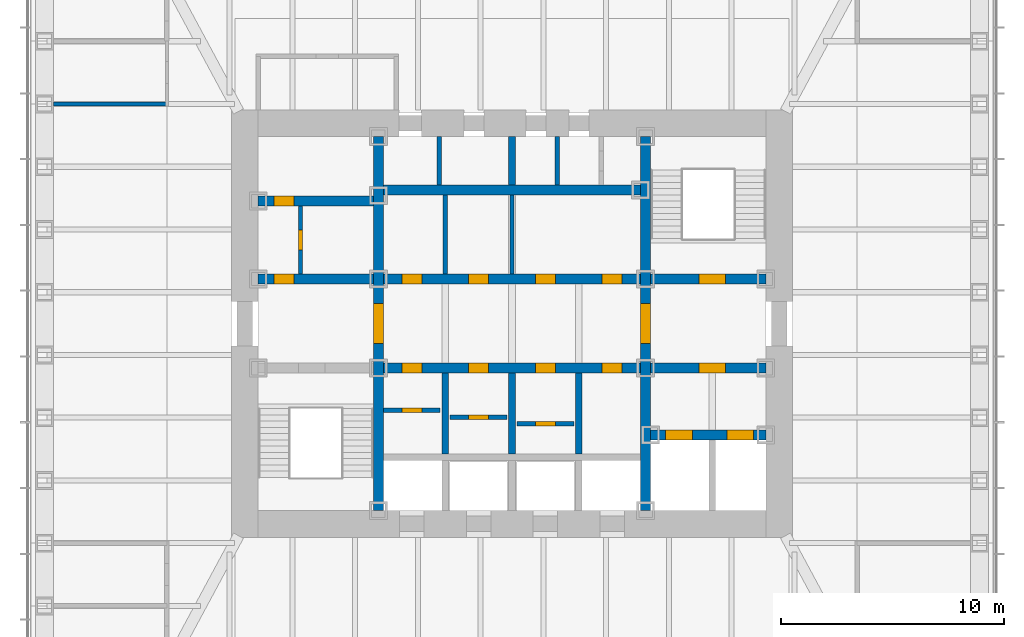
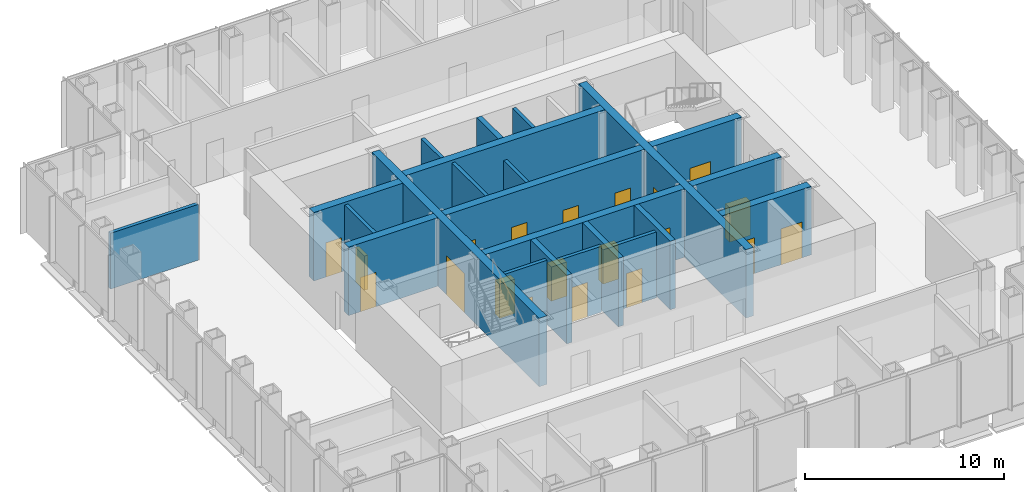
# One storey, part 9 of 17: 23 walls, 20 doors, 20 openings.
"""IFC4 building model written with IfcOpenShell, lengths in metres."""

import ifcopenshell
import ifcopenshell.guid

model = None  # the IFC model being written
_history = None  # IfcOwnerHistory: only IFC2X3 demands one
_inside = {}  # id of a spatial element -> (the spatial element, [elements in it])
_under = {}  # id of a project, library or spatial element -> (it, [spatial elements below it])
_declared = {}  # id of a project -> (the project, [libraries it declares])
_typed = {}  # id of a type object -> (the type object, [elements of that type])
_made_of = {}  # id of a material, layer set ... -> (it, [elements and type objects made of it])


def new_model(schema):
    """Start an empty IFC model of exactly this schema.

    Asked for "IFC4X3", IfcOpenShell would pick the latest addendum, in which some entities
    have other attributes; the version numbers below select the first issue.
    IFC2X3 requires an IfcOwnerHistory on every rooted entity: one is made here for all.
    """
    global model, _history
    if schema == "IFC4X3":
        model = ifcopenshell.file(schema_version=(4, 3, 0, 0))
    else:
        model = ifcopenshell.file(schema=schema)
    _inside.clear()
    _under.clear()
    _declared.clear()
    _typed.clear()
    _made_of.clear()
    _history = None
    if model.schema == "IFC2X3":
        org = make("IfcOrganization", Name="unknown")
        user = make(
            "IfcPersonAndOrganization",
            ThePerson=make("IfcPerson", FamilyName="unknown"),
            TheOrganization=org,
        )
        app = make(
            "IfcApplication",
            ApplicationDeveloper=org,
            Version="unknown",
            ApplicationFullName="unknown",
            ApplicationIdentifier="unknown",
        )
        _history = make(
            "IfcOwnerHistory",
            OwningUser=user,
            OwningApplication=app,
            ChangeAction="ADDED",
            CreationDate=0,
        )
    return model


def make(cls, **values):
    """One entity of the class cls with the attributes given. An attribute that is None is left unset."""
    return model.create_entity(
        cls, **{name: value for name, value in values.items() if value is not None}
    )


def rooted(cls, **values):
    """An entity with a GlobalId (a new one), such as an element, a storey or a relation."""
    return make(cls, GlobalId=ifcopenshell.guid.new(), OwnerHistory=_history, **values)


def si_unit(unit_type, name, prefix=None):
    """IfcSIUnit, for example si_unit("LENGTHUNIT", "METRE", prefix="MILLI")."""
    return make("IfcSIUnit", UnitType=unit_type, Prefix=prefix, Name=name)


def assignment(units):
    """IfcUnitAssignment: the units of a project."""
    return None if units is None else make("IfcUnitAssignment", Units=units)


def point(xyz):
    """IfcCartesianPoint."""
    return None if xyz is None else make("IfcCartesianPoint", Coordinates=xyz)


def direction(xyz):
    """IfcDirection."""
    return None if xyz is None else make("IfcDirection", DirectionRatios=xyz)


def frame(location, z_axis=None, x_axis=None):
    """IfcAxis2Placement3D, a coordinate frame: its origin and axes. An axis left out is left unset."""
    return make(
        "IfcAxis2Placement3D",
        Location=point(location),
        Axis=direction(z_axis),
        RefDirection=direction(x_axis),
    )


def frame_2d(location, x_axis=None):
    """IfcAxis2Placement2D, a coordinate frame in the plane: its origin and x axis."""
    return make(
        "IfcAxis2Placement2D", Location=point(location), RefDirection=direction(x_axis)
    )


def origin():
    """The frame at (0, 0, 0) with its axes left unset."""
    return frame((0.0, 0.0, 0.0))


def place(relative_to, where):
    """IfcLocalPlacement: puts the frame where relative to a parent placement (None: the world)."""
    return make(
        "IfcLocalPlacement", PlacementRelTo=relative_to, RelativePlacement=where
    )


def context(
    kind, dimensions, precision=None, world=None, true_north=None, identifier=None
):
    """IfcGeometricRepresentationContext, for example the 3D "Model" context."""
    return make(
        "IfcGeometricRepresentationContext",
        ContextIdentifier=identifier,
        ContextType=kind,
        CoordinateSpaceDimension=dimensions,
        Precision=precision,
        WorldCoordinateSystem=world,
        TrueNorth=true_north,
    )


def subcontext(parent, identifier, kind, view, scale=None):
    """IfcGeometricRepresentationSubContext, for example "Body" below "Model"."""
    return make(
        "IfcGeometricRepresentationSubContext",
        ContextIdentifier=identifier,
        ContextType=kind,
        ParentContext=parent,
        TargetScale=scale,
        TargetView=view,
    )


def project(units=None, contexts=None):
    """IfcProject with its units and contexts."""
    return rooted(
        "IfcProject",
        Name="project",
        RepresentationContexts=contexts,
        UnitsInContext=assignment(units),
    )


def spatial(cls, under=None, at=None, **own):
    """A site, building, storey or space (cls), placed at a placement, below another one or the project."""
    s = rooted(cls, ObjectPlacement=at, **own)
    if under is not None:
        _under.setdefault(under.id(), (under, []))[1].append(s)
    return s


def profile(cls, at=None, kind="AREA", **sizes):
    """A parametric profile (cls). Its sizes go by their IFC names, for example OverallWidth=200.0."""
    return make(cls, ProfileType=kind, Position=at, **sizes)


def rectangle(**sizes):
    """IfcRectangleProfileDef."""
    return profile("IfcRectangleProfileDef", **sizes)


def extrude(swept, where, along, depth):
    """IfcExtrudedAreaSolid: the profile swept, set in the frame where, extruded along a direction by depth."""
    return make(
        "IfcExtrudedAreaSolid",
        SweptArea=swept,
        Position=where,
        ExtrudedDirection=direction(along),
        Depth=depth,
    )


def shape(context_of_items, identifier, shape_type, items):
    """IfcShapeRepresentation: the items that make up one representation, for example the "Body"."""
    return make(
        "IfcShapeRepresentation",
        ContextOfItems=context_of_items,
        RepresentationIdentifier=identifier,
        RepresentationType=shape_type,
        Items=items,
    )


def material(Name=None, Category=None):
    """IfcMaterial."""
    return make("IfcMaterial", Name=Name, Category=Category)


def layer(
    of_material, thickness, ventilated=None, Name=None, Category=None, Priority=None
):
    """IfcMaterialLayer: one layer of a wall or slab, of a material (None: an air gap)."""
    return make(
        "IfcMaterialLayer",
        Material=of_material,
        LayerThickness=thickness,
        IsVentilated=ventilated,
        Name=Name,
        Category=Category,
        Priority=Priority,
    )


def layer_set(layers, Name=None):
    """IfcMaterialLayerSet."""
    return make("IfcMaterialLayerSet", MaterialLayers=layers, LayerSetName=Name)


def made_of(thing, what):
    """Note that an element or type object is made of a material, layer set ...; save() writes the relation."""
    if what is not None:
        _made_of.setdefault(what.id(), (what, []))[1].append(thing)
    return thing


def type_object(cls, material=None, **own):
    """A type object (cls), such as IfcWallType, which elements share."""
    return made_of(rooted(cls, **own), material)


def element(
    cls,
    number,
    at=None,
    inside=None,
    cuts=None,
    type_object=None,
    material=None,
    context=None,
    identifier="Body",
    shape_type=None,
    held_by="IfcProductDefinitionShape",
    body=None,
    shapes=None,
    **own,
):
    """One element of the class cls, such as IfcWall. Its Tag is "e" and its number.

    at: its placement. inside: the storey or other place that contains it. cuts: it is an
    opening in that element (IfcRelVoidsElement). A single representation is given by context,
    identifier, shape_type and body (its items); several are given by shapes. held_by: the class
    of the entity that holds the representations. save() writes the other relations.
    """
    e = rooted(cls, Tag="e%d" % number, ObjectPlacement=at, **own)
    if body is not None:
        shapes = [shape(context, identifier, shape_type, body)]
    if shapes is not None:
        e.Representation = make(held_by, Representations=shapes)
    if inside is not None:
        _inside.setdefault(inside.id(), (inside, []))[1].append(e)
    if cuts is not None:
        rooted(
            "IfcRelVoidsElement", RelatingBuildingElement=cuts, RelatedOpeningElement=e
        )
    if type_object is not None:
        _typed.setdefault(type_object.id(), (type_object, []))[1].append(e)
    return made_of(e, material)


def fill(opening, filler):
    """IfcRelFillsElement: the door or window that sits in an opening."""
    return rooted(
        "IfcRelFillsElement",
        RelatingOpeningElement=opening,
        RelatedBuildingElement=filler,
    )


def aggregate(whole, parts):
    """IfcRelAggregates: a whole, such as a stair, and the parts it consists of."""
    return rooted("IfcRelAggregates", RelatingObject=whole, RelatedObjects=parts)


def save(model, path):
    """Write the relations noted so far, then the file.

    IfcRelAggregates (storeys below a building ...), IfcRelContainedInSpatialStructure (elements
    in a storey), IfcRelDefinesByType, IfcRelAssociatesMaterial and IfcRelDeclares: one each for
    every whole, place, type object, material and project.
    """
    for whole, parts in _under.values():
        aggregate(whole, parts)
    for where, things in _inside.values():
        rooted(
            "IfcRelContainedInSpatialStructure",
            RelatedElements=things,
            RelatingStructure=where,
        )
    for kind, things in _typed.values():
        rooted("IfcRelDefinesByType", RelatedObjects=things, RelatingType=kind)
    for what, things in _made_of.values():
        rooted("IfcRelAssociatesMaterial", RelatedObjects=things, RelatingMaterial=what)
    for by, libraries in _declared.values():
        rooted("IfcRelDeclares", RelatingContext=by, RelatedDefinitions=libraries)
    model.write(path)


model = new_model("IFC4")

# Units and contexts
model_context = context("Model", 3, precision=1e-05, world=origin(), true_north=direction((0.0, 1.0)))
body_context = subcontext(model_context, "Body", "Model", "MODEL_VIEW")
ifc_project = project(units=[si_unit("LENGTHUNIT", "METRE"), si_unit("AREAUNIT", "SQUARE_METRE"), si_unit("VOLUMEUNIT", "CUBIC_METRE"), si_unit("PLANEANGLEUNIT", "RADIAN"), si_unit("MASSUNIT", "GRAM", prefix="KILO")], contexts=[model_context])

# Site, building, storey
site_placement = place(None, origin())
site = spatial("IfcSite", under=ifc_project, at=site_placement, CompositionType="ELEMENT")
building_placement = place(site_placement, origin())
building = spatial("IfcBuilding", under=site, at=building_placement, Name="Daluyong Arena Tower", CompositionType="ELEMENT")
storey_placement = place(building_placement, frame((0.0, 0.0, 223.300048828125)))
storey = spatial("IfcBuildingStorey", under=building, at=storey_placement, Name="L50", CompositionType="ELEMENT", Elevation=223.300048828125)

# Wall, opening, door
ifc_material_1 = material(Name="Concrete fc' 45 MPa", Category="concrete")
ifc_layer_1 = layer(ifc_material_1, 0.449951171875)
ifc_layer_set_1 = layer_set([ifc_layer_1], Name="Concrete fc' 45 MPa")
wall_type_1 = type_object("IfcWallType", Name="Core inner wall 450", PredefinedType="SHEAR", material=ifc_layer_set_1)
wall_1_placement = place(storey_placement, frame((50.0, 71.60009765625, 0.0), z_axis=(0.0, 0.0, 1.0), x_axis=(0.0, 1.0, 0.0)))
wall_1 = element("IfcWall", 1, at=wall_1_placement, inside=storey, type_object=wall_type_1, Name="core inner wall at L50", PredefinedType="SHEAR", context=body_context, shape_type="SweptSolid", body=[
    extrude(rectangle(XDim=16.7998046875, YDim=0.449951171875, at=frame_2d((8.39990234375, 0.0))), origin(), (0.0, 0.0, 1.0), 4.199951171875),
])
opening_1_placement = place(wall_1_placement, frame((7.5, 0.0, 0.0)))
opening_1 = element("IfcOpeningElement", 2, at=opening_1_placement, cuts=wall_1, Name="Opening 50024", PredefinedType="OPENING", context=body_context, shape_type="SweptSolid", body=[
    extrude(rectangle(XDim=1.800048828125, YDim=2.39990234375, at=frame_2d((0.89990234375, 1.199951171875))), frame((0.0, 0.23486328125, 0.0), z_axis=(0.0, -1.0, 0.0), x_axis=(1.0, 0.0, 0.0)), (0.0, 0.0, 1.0), 0.469970703125),
])
ifc_material_2 = material(Name="Steel door, fire rated", Category="steel")
door_type_1 = type_object("IfcDoorType", Name="Lift lobby opening door 1800", OperationType="DOUBLE_DOOR_SINGLE_SWING", PredefinedType="DOOR", material=ifc_material_2)
door_1_placement = place(opening_1_placement, origin())
door_1 = element("IfcDoor", 3, at=door_1_placement, inside=storey, type_object=door_type_1, Name="lift lobby door west 50024", OperationType="DOUBLE_DOOR_SINGLE_SWING", OverallHeight=2.39990234375, OverallWidth=1.800048828125, PredefinedType="DOOR", context=body_context, shape_type="SweptSolid", body=[
    extrude(rectangle(XDim=1.800048828125, YDim=2.39990234375, at=frame_2d((0.89990234375, 1.199951171875))), frame((0.0, 0.224609375, 0.0), z_axis=(0.0, -1.0, 0.0), x_axis=(1.0, 0.0, 0.0)), (0.0, 0.0, 1.0), 0.449462890625),
])
fill(opening_1, door_1)

wall_2_placement = place(storey_placement, frame((62.0, 71.60009765625, 0.0), z_axis=(0.0, 0.0, 1.0), x_axis=(0.0, 1.0, 0.0)))
wall_2 = element("IfcWall", 4, at=wall_2_placement, inside=storey, type_object=wall_type_1, Name="core inner wall at L50", PredefinedType="SHEAR", context=body_context, shape_type="SweptSolid", body=[
    extrude(rectangle(XDim=16.7998046875, YDim=0.449951171875, at=frame_2d((8.39990234375, 0.0))), origin(), (0.0, 0.0, 1.0), 4.199951171875),
])
opening_2_placement = place(wall_2_placement, frame((7.5, 0.0, 0.0)))
opening_2 = element("IfcOpeningElement", 5, at=opening_2_placement, cuts=wall_2, Name="Opening 50025", PredefinedType="OPENING", context=body_context, shape_type="SweptSolid", body=[
    extrude(rectangle(XDim=1.800048828125, YDim=2.39990234375, at=frame_2d((0.89990234375, 1.199951171875))), frame((0.0, 0.23486328125, 0.0), z_axis=(0.0, -1.0, 0.0), x_axis=(1.0, 0.0, 0.0)), (0.0, 0.0, 1.0), 0.469970703125),
])
door_2_placement = place(opening_2_placement, origin())
door_2 = element("IfcDoor", 6, at=door_2_placement, inside=storey, type_object=door_type_1, Name="lift lobby door east 50025", OperationType="DOUBLE_DOOR_SINGLE_SWING", OverallHeight=2.39990234375, OverallWidth=1.800048828125, PredefinedType="DOOR", context=body_context, shape_type="SweptSolid", body=[
    extrude(rectangle(XDim=1.800048828125, YDim=2.39990234375, at=frame_2d((0.89990234375, 1.199951171875))), frame((0.0, 0.224609375, 0.0), z_axis=(0.0, -1.0, 0.0), x_axis=(1.0, 0.0, 0.0)), (0.0, 0.0, 1.0), 0.449462890625),
])
fill(opening_2, door_2)

wall_3_placement = place(storey_placement, frame((44.60009765625, 82.0, 0.0), z_axis=(0.0, 0.0, 1.0), x_axis=(1.0, 0.0, 0.0)))
wall_3 = element("IfcWall", 7, at=wall_3_placement, inside=storey, type_object=wall_type_1, Name="core inner wall at L50", PredefinedType="SHEAR", context=body_context, shape_type="SweptSolid", body=[
    extrude(rectangle(XDim=5.1748046875, YDim=0.449951171875, at=frame_2d((2.58740234375, 0.0))), origin(), (0.0, 0.0, 1.0), 4.199951171875),
])
opening_3_placement = place(wall_3_placement, frame((0.699951171875, 0.0, 0.0)))
opening_3 = element("IfcOpeningElement", 8, at=opening_3_placement, cuts=wall_3, Name="Opening 50001", PredefinedType="OPENING", context=body_context, shape_type="SweptSolid", body=[
    extrude(rectangle(XDim=0.89990234375, YDim=2.10009765625, at=frame_2d((0.449951171875, 1.050048828125))), frame((0.0, 0.23486328125, 0.0), z_axis=(0.0, -1.0, 0.0), x_axis=(1.0, 0.0, 0.0)), (0.0, 0.0, 1.0), 0.469970703125),
])
ifc_material_3 = material(Name="Steel door, fire rated", Category="steel")
door_type_2 = type_object("IfcDoorType", Name="Core room door 900", OperationType="SINGLE_SWING_LEFT", PredefinedType="DOOR", material=ifc_material_3)
door_3_placement = place(opening_3_placement, origin())
door_3 = element("IfcDoor", 9, at=door_3_placement, inside=storey, type_object=door_type_2, Name="toilet lobby door 50001", OperationType="SINGLE_SWING_LEFT", OverallHeight=2.10009765625, OverallWidth=0.89990234375, PredefinedType="DOOR", context=body_context, shape_type="SweptSolid", body=[
    extrude(rectangle(XDim=0.89990234375, YDim=2.10009765625, at=frame_2d((0.449951171875, 1.050048828125))), frame((0.0, 0.224609375, 0.0), z_axis=(0.0, -1.0, 0.0), x_axis=(1.0, 0.0, 0.0)), (0.0, 0.0, 1.0), 0.449462890625),
])
fill(opening_3, door_3)

wall_4_placement = place(storey_placement, frame((44.60009765625, 85.5, 0.0), z_axis=(0.0, 0.0, 1.0), x_axis=(1.0, 0.0, 0.0)))
wall_4 = element("IfcWall", 10, at=wall_4_placement, inside=storey, type_object=wall_type_1, Name="core inner wall at L50", PredefinedType="SHEAR", context=body_context, shape_type="SweptSolid", body=[
    extrude(rectangle(XDim=5.1748046875, YDim=0.449951171875, at=frame_2d((2.58740234375, 0.0))), origin(), (0.0, 0.0, 1.0), 4.199951171875),
])
opening_4_placement = place(wall_4_placement, frame((0.699951171875, 0.0, 0.0)))
opening_4 = element("IfcOpeningElement", 11, at=opening_4_placement, cuts=wall_4, Name="Opening 50003", PredefinedType="OPENING", context=body_context, shape_type="SweptSolid", body=[
    extrude(rectangle(XDim=0.89990234375, YDim=2.10009765625, at=frame_2d((0.449951171875, 1.050048828125))), frame((0.0, 0.23486328125, 0.0), z_axis=(0.0, -1.0, 0.0), x_axis=(1.0, 0.0, 0.0)), (0.0, 0.0, 1.0), 0.469970703125),
])
ifc_material_4 = material(Name="Timber door", Category="wood")
door_type_3 = type_object("IfcDoorType", Name="Toilet door 900", OperationType="SINGLE_SWING_RIGHT", PredefinedType="DOOR", material=ifc_material_4)
door_4_placement = place(opening_4_placement, origin())
door_4 = element("IfcDoor", 12, at=door_4_placement, inside=storey, type_object=door_type_3, Name="female toilet door 50003", OperationType="SINGLE_SWING_RIGHT", OverallHeight=2.10009765625, OverallWidth=0.89990234375, PredefinedType="DOOR", context=body_context, shape_type="SweptSolid", body=[
    extrude(rectangle(XDim=0.89990234375, YDim=2.10009765625, at=frame_2d((0.449951171875, 1.050048828125))), frame((0.0, 0.224609375, 0.0), z_axis=(0.0, -1.0, 0.0), x_axis=(1.0, 0.0, 0.0)), (0.0, 0.0, 1.0), 0.449462890625),
])
fill(opening_4, door_4)

# Wall, openings, doors
wall_5_placement = place(storey_placement, frame((62.22509765625, 75.0, 0.0), z_axis=(0.0, 0.0, 1.0), x_axis=(1.0, 0.0, 0.0)))
wall_5 = element("IfcWall", 13, at=wall_5_placement, inside=storey, type_object=wall_type_1, Name="core inner wall at L50", PredefinedType="SHEAR", context=body_context, shape_type="SweptSolid", body=[
    extrude(rectangle(XDim=5.1748046875, YDim=0.449951171875, at=frame_2d((2.58740234375, 0.0))), origin(), (0.0, 0.0, 1.0), 4.199951171875),
])
opening_5_placement = place(wall_5_placement, frame((0.675048828125, 0.0, 0.0)))
opening_5 = element("IfcOpeningElement", 14, at=opening_5_placement, cuts=wall_5, Name="Opening 50031", PredefinedType="OPENING", context=body_context, shape_type="SweptSolid", body=[
    extrude(rectangle(XDim=1.199951171875, YDim=2.199951171875, at=frame_2d((0.60009765625, 1.10009765625))), frame((0.0, 0.23486328125, 0.0), z_axis=(0.0, -1.0, 0.0), x_axis=(1.0, 0.0, 0.0)), (0.0, 0.0, 1.0), 0.469970703125),
])
opening_6_placement = place(wall_5_placement, frame((3.425048828125, 0.0, 0.0)))
opening_6 = element("IfcOpeningElement", 15, at=opening_6_placement, cuts=wall_5, Name="Opening 50032", PredefinedType="OPENING", context=body_context, shape_type="SweptSolid", body=[
    extrude(rectangle(XDim=1.199951171875, YDim=2.199951171875, at=frame_2d((0.60009765625, 1.10009765625))), frame((0.0, 0.23486328125, 0.0), z_axis=(0.0, -1.0, 0.0), x_axis=(1.0, 0.0, 0.0)), (0.0, 0.0, 1.0), 0.469970703125),
])
ifc_material_5 = material(Name="Steel door, fire rated", Category="steel")
door_type_4 = type_object("IfcDoorType", Name="Firefighting lift landing door 1200", OperationType="SLIDING_TO_LEFT", PredefinedType="DOOR", material=ifc_material_5)
door_5_placement = place(opening_5_placement, origin())
door_5 = element("IfcDoor", 16, at=door_5_placement, inside=storey, type_object=door_type_4, Name="firefighting lift landing door F1 50031", OperationType="SLIDING_TO_LEFT", OverallHeight=2.199951171875, OverallWidth=1.199951171875, PredefinedType="DOOR", context=body_context, shape_type="SweptSolid", body=[
    extrude(rectangle(XDim=1.199951171875, YDim=2.199951171875, at=frame_2d((0.60009765625, 1.10009765625))), frame((0.0, 0.224609375, 0.0), z_axis=(0.0, -1.0, 0.0), x_axis=(1.0, 0.0, 0.0)), (0.0, 0.0, 1.0), 0.449462890625),
])
fill(opening_5, door_5)
door_6_placement = place(opening_6_placement, origin())
door_6 = element("IfcDoor", 17, at=door_6_placement, inside=storey, type_object=door_type_4, Name="firefighting lift landing door F2 50032", OperationType="SLIDING_TO_LEFT", OverallHeight=2.199951171875, OverallWidth=1.199951171875, PredefinedType="DOOR", context=body_context, shape_type="SweptSolid", body=[
    extrude(rectangle(XDim=1.199951171875, YDim=2.199951171875, at=frame_2d((0.60009765625, 1.10009765625))), frame((0.0, 0.224609375, 0.0), z_axis=(0.0, -1.0, 0.0), x_axis=(1.0, 0.0, 0.0)), (0.0, 0.0, 1.0), 0.449462890625),
])
fill(opening_6, door_6)

# Wall, opening, door
wall_6_placement = place(storey_placement, frame((62.22509765625, 78.0, 0.0), z_axis=(0.0, 0.0, 1.0), x_axis=(1.0, 0.0, 0.0)))
wall_6 = element("IfcWall", 18, at=wall_6_placement, inside=storey, type_object=wall_type_1, Name="core inner wall at L50", PredefinedType="SHEAR", context=body_context, shape_type="SweptSolid", body=[
    extrude(rectangle(XDim=5.1748046875, YDim=0.449951171875, at=frame_2d((2.58740234375, 0.0))), origin(), (0.0, 0.0, 1.0), 4.199951171875),
])
opening_7_placement = place(wall_6_placement, frame((2.175048828125, 0.0, 0.0)))
opening_7 = element("IfcOpeningElement", 19, at=opening_7_placement, cuts=wall_6, Name="Opening 50026", PredefinedType="OPENING", context=body_context, shape_type="SweptSolid", body=[
    extrude(rectangle(XDim=1.199951171875, YDim=2.10009765625, at=frame_2d((0.60009765625, 1.050048828125))), frame((0.0, 0.23486328125, 0.0), z_axis=(0.0, -1.0, 0.0), x_axis=(1.0, 0.0, 0.0)), (0.0, 0.0, 1.0), 0.469970703125),
])
ifc_material_6 = material(Name="Steel door, fire rated", Category="steel")
door_type_5 = type_object("IfcDoorType", Name="Firefighting lobby door 1200", OperationType="SINGLE_SWING_RIGHT", PredefinedType="DOOR", material=ifc_material_6)
door_7_placement = place(opening_7_placement, origin())
door_7 = element("IfcDoor", 20, at=door_7_placement, inside=storey, type_object=door_type_5, Name="firefighting lobby door 50026", OperationType="SINGLE_SWING_RIGHT", OverallHeight=2.10009765625, OverallWidth=1.199951171875, PredefinedType="DOOR", context=body_context, shape_type="SweptSolid", body=[
    extrude(rectangle(XDim=1.199951171875, YDim=2.10009765625, at=frame_2d((0.60009765625, 1.050048828125))), frame((0.0, 0.224609375, 0.0), z_axis=(0.0, -1.0, 0.0), x_axis=(1.0, 0.0, 0.0)), (0.0, 0.0, 1.0), 0.449462890625),
])
fill(opening_7, door_7)

wall_7_placement = place(storey_placement, frame((62.22509765625, 82.0, 0.0), z_axis=(0.0, 0.0, 1.0), x_axis=(1.0, 0.0, 0.0)))
wall_7 = element("IfcWall", 21, at=wall_7_placement, inside=storey, type_object=wall_type_1, Name="core inner wall at L50", PredefinedType="SHEAR", context=body_context, shape_type="SweptSolid", body=[
    extrude(rectangle(XDim=5.1748046875, YDim=0.449951171875, at=frame_2d((2.58740234375, 0.0))), origin(), (0.0, 0.0, 1.0), 4.199951171875),
])
opening_8_placement = place(wall_7_placement, frame((2.175048828125, 0.0, 0.0)))
opening_8 = element("IfcOpeningElement", 22, at=opening_8_placement, cuts=wall_7, Name="Opening 50021", PredefinedType="OPENING", context=body_context, shape_type="SweptSolid", body=[
    extrude(rectangle(XDim=1.199951171875, YDim=2.10009765625, at=frame_2d((0.60009765625, 1.050048828125))), frame((0.0, 0.23486328125, 0.0), z_axis=(0.0, -1.0, 0.0), x_axis=(1.0, 0.0, 0.0)), (0.0, 0.0, 1.0), 0.469970703125),
])
ifc_material_7 = material(Name="Steel door, fire rated", Category="steel")
door_type_6 = type_object("IfcDoorType", Name="Stair door 1200", OperationType="SINGLE_SWING_LEFT", PredefinedType="DOOR", material=ifc_material_7)
door_8_placement = place(opening_8_placement, origin())
door_8 = element("IfcDoor", 23, at=door_8_placement, inside=storey, type_object=door_type_6, Name="stair B door 50021", OperationType="SINGLE_SWING_LEFT", OverallHeight=2.10009765625, OverallWidth=1.199951171875, PredefinedType="DOOR", context=body_context, shape_type="SweptSolid", body=[
    extrude(rectangle(XDim=1.199951171875, YDim=2.10009765625, at=frame_2d((0.60009765625, 1.050048828125))), frame((0.0, 0.224609375, 0.0), z_axis=(0.0, -1.0, 0.0), x_axis=(1.0, 0.0, 0.0)), (0.0, 0.0, 1.0), 0.449462890625),
])
fill(opening_8, door_8)

# Wall, openings, doors
wall_8_placement = place(storey_placement, frame((50.22509765625, 78.0, 0.0), z_axis=(0.0, 0.0, 1.0), x_axis=(1.0, 0.0, 0.0)))
wall_8 = element("IfcWall", 24, at=wall_8_placement, inside=storey, type_object=wall_type_1, Name="core inner wall at L50", PredefinedType="SHEAR", context=body_context, shape_type="SweptSolid", body=[
    extrude(rectangle(XDim=11.5498046875, YDim=0.449951171875, at=frame_2d((5.77490234375, 0.0))), origin(), (0.0, 0.0, 1.0), 4.199951171875),
])
opening_9_placement = place(wall_8_placement, frame((0.824951171875, 0.0, 0.0)))
opening_9 = element("IfcOpeningElement", 25, at=opening_9_placement, cuts=wall_8, Name="Opening 50009", PredefinedType="OPENING", context=body_context, shape_type="SweptSolid", body=[
    extrude(rectangle(XDim=0.89990234375, YDim=2.10009765625, at=frame_2d((0.449951171875, 1.050048828125))), frame((0.0, 0.23486328125, 0.0), z_axis=(0.0, -1.0, 0.0), x_axis=(1.0, 0.0, 0.0)), (0.0, 0.0, 1.0), 0.469970703125),
])
opening_10_placement = place(wall_8_placement, frame((3.824951171875, 0.0, 0.0)))
opening_10 = element("IfcOpeningElement", 26, at=opening_10_placement, cuts=wall_8, Name="Opening 50011", PredefinedType="OPENING", context=body_context, shape_type="SweptSolid", body=[
    extrude(rectangle(XDim=0.89990234375, YDim=2.10009765625, at=frame_2d((0.449951171875, 1.050048828125))), frame((0.0, 0.23486328125, 0.0), z_axis=(0.0, -1.0, 0.0), x_axis=(1.0, 0.0, 0.0)), (0.0, 0.0, 1.0), 0.469970703125),
])
opening_11_placement = place(wall_8_placement, frame((6.824951171875, 0.0, 0.0)))
opening_11 = element("IfcOpeningElement", 27, at=opening_11_placement, cuts=wall_8, Name="Opening 50013", PredefinedType="OPENING", context=body_context, shape_type="SweptSolid", body=[
    extrude(rectangle(XDim=0.89990234375, YDim=2.10009765625, at=frame_2d((0.449951171875, 1.050048828125))), frame((0.0, 0.23486328125, 0.0), z_axis=(0.0, -1.0, 0.0), x_axis=(1.0, 0.0, 0.0)), (0.0, 0.0, 1.0), 0.469970703125),
])
opening_12_placement = place(wall_8_placement, frame((9.824951171875, 0.0, 0.0)))
opening_12 = element("IfcOpeningElement", 28, at=opening_12_placement, cuts=wall_8, Name="Opening 50015", PredefinedType="OPENING", context=body_context, shape_type="SweptSolid", body=[
    extrude(rectangle(XDim=0.89990234375, YDim=2.10009765625, at=frame_2d((0.449951171875, 1.050048828125))), frame((0.0, 0.23486328125, 0.0), z_axis=(0.0, -1.0, 0.0), x_axis=(1.0, 0.0, 0.0)), (0.0, 0.0, 1.0), 0.469970703125),
])
door_9_placement = place(opening_12_placement, origin())
door_9 = element("IfcDoor", 29, at=door_9_placement, inside=storey, type_object=door_type_2, Name="parcel room door 50015", OperationType="SINGLE_SWING_LEFT", OverallHeight=2.10009765625, OverallWidth=0.89990234375, PredefinedType="DOOR", context=body_context, shape_type="SweptSolid", body=[
    extrude(rectangle(XDim=0.89990234375, YDim=2.10009765625, at=frame_2d((0.449951171875, 1.050048828125))), frame((0.0, 0.224609375, 0.0), z_axis=(0.0, -1.0, 0.0), x_axis=(1.0, 0.0, 0.0)), (0.0, 0.0, 1.0), 0.449462890625),
])
fill(opening_12, door_9)
ifc_material_8 = material(Name="Steel door, fire rated", Category="steel")
door_type_7 = type_object("IfcDoorType", Name="Core store door 900", OperationType="SINGLE_SWING_LEFT", PredefinedType="DOOR", material=ifc_material_8)
door_10_placement = place(opening_9_placement, origin())
door_10 = element("IfcDoor", 30, at=door_10_placement, inside=storey, type_object=door_type_7, Name="cleaner's store door 50009", OperationType="SINGLE_SWING_LEFT", OverallHeight=2.10009765625, OverallWidth=0.89990234375, PredefinedType="DOOR", context=body_context, shape_type="SweptSolid", body=[
    extrude(rectangle(XDim=0.89990234375, YDim=2.10009765625, at=frame_2d((0.449951171875, 1.050048828125))), frame((0.0, 0.224609375, 0.0), z_axis=(0.0, -1.0, 0.0), x_axis=(1.0, 0.0, 0.0)), (0.0, 0.0, 1.0), 0.449462890625),
])
fill(opening_9, door_10)
door_11_placement = place(opening_10_placement, origin())
door_11 = element("IfcDoor", 31, at=door_11_placement, inside=storey, type_object=door_type_7, Name="tenant store door 50011", OperationType="SINGLE_SWING_LEFT", OverallHeight=2.10009765625, OverallWidth=0.89990234375, PredefinedType="DOOR", context=body_context, shape_type="SweptSolid", body=[
    extrude(rectangle(XDim=0.89990234375, YDim=2.10009765625, at=frame_2d((0.449951171875, 1.050048828125))), frame((0.0, 0.224609375, 0.0), z_axis=(0.0, -1.0, 0.0), x_axis=(1.0, 0.0, 0.0)), (0.0, 0.0, 1.0), 0.449462890625),
])
fill(opening_10, door_11)
door_12_placement = place(opening_11_placement, origin())
door_12 = element("IfcDoor", 32, at=door_12_placement, inside=storey, type_object=door_type_7, Name="security store door 50013", OperationType="SINGLE_SWING_LEFT", OverallHeight=2.10009765625, OverallWidth=0.89990234375, PredefinedType="DOOR", context=body_context, shape_type="SweptSolid", body=[
    extrude(rectangle(XDim=0.89990234375, YDim=2.10009765625, at=frame_2d((0.449951171875, 1.050048828125))), frame((0.0, 0.224609375, 0.0), z_axis=(0.0, -1.0, 0.0), x_axis=(1.0, 0.0, 0.0)), (0.0, 0.0, 1.0), 0.449462890625),
])
fill(opening_11, door_12)

wall_9_placement = place(storey_placement, frame((50.22509765625, 82.0, 0.0), z_axis=(0.0, 0.0, 1.0), x_axis=(1.0, 0.0, 0.0)))
wall_9 = element("IfcWall", 33, at=wall_9_placement, inside=storey, type_object=wall_type_1, Name="core inner wall at L50", PredefinedType="SHEAR", context=body_context, shape_type="SweptSolid", body=[
    extrude(rectangle(XDim=11.5498046875, YDim=0.449951171875, at=frame_2d((5.77490234375, 0.0))), origin(), (0.0, 0.0, 1.0), 4.199951171875),
])
opening_13_placement = place(wall_9_placement, frame((0.824951171875, 0.0, 0.0)))
opening_13 = element("IfcOpeningElement", 34, at=opening_13_placement, cuts=wall_9, Name="Opening 50016", PredefinedType="OPENING", context=body_context, shape_type="SweptSolid", body=[
    extrude(rectangle(XDim=0.89990234375, YDim=2.10009765625, at=frame_2d((0.449951171875, 1.050048828125))), frame((0.0, 0.23486328125, 0.0), z_axis=(0.0, -1.0, 0.0), x_axis=(1.0, 0.0, 0.0)), (0.0, 0.0, 1.0), 0.469970703125),
])
opening_14_placement = place(wall_9_placement, frame((3.824951171875, 0.0, 0.0)))
opening_14 = element("IfcOpeningElement", 35, at=opening_14_placement, cuts=wall_9, Name="Opening 50017", PredefinedType="OPENING", context=body_context, shape_type="SweptSolid", body=[
    extrude(rectangle(XDim=0.89990234375, YDim=2.10009765625, at=frame_2d((0.449951171875, 1.050048828125))), frame((0.0, 0.23486328125, 0.0), z_axis=(0.0, -1.0, 0.0), x_axis=(1.0, 0.0, 0.0)), (0.0, 0.0, 1.0), 0.469970703125),
])
opening_15_placement = place(wall_9_placement, frame((6.824951171875, 0.0, 0.0)))
opening_15 = element("IfcOpeningElement", 36, at=opening_15_placement, cuts=wall_9, Name="Opening 50018", PredefinedType="OPENING", context=body_context, shape_type="SweptSolid", body=[
    extrude(rectangle(XDim=0.89990234375, YDim=2.10009765625, at=frame_2d((0.449951171875, 1.050048828125))), frame((0.0, 0.23486328125, 0.0), z_axis=(0.0, -1.0, 0.0), x_axis=(1.0, 0.0, 0.0)), (0.0, 0.0, 1.0), 0.469970703125),
])
opening_16_placement = place(wall_9_placement, frame((9.824951171875, 0.0, 0.0)))
opening_16 = element("IfcOpeningElement", 37, at=opening_16_placement, cuts=wall_9, Name="Opening 50019", PredefinedType="OPENING", context=body_context, shape_type="SweptSolid", body=[
    extrude(rectangle(XDim=0.89990234375, YDim=2.10009765625, at=frame_2d((0.449951171875, 1.050048828125))), frame((0.0, 0.23486328125, 0.0), z_axis=(0.0, -1.0, 0.0), x_axis=(1.0, 0.0, 0.0)), (0.0, 0.0, 1.0), 0.469970703125),
])
door_13_placement = place(opening_13_placement, origin())
door_13 = element("IfcDoor", 38, at=door_13_placement, inside=storey, type_object=door_type_2, Name="vending room door 50016", OperationType="SINGLE_SWING_LEFT", OverallHeight=2.10009765625, OverallWidth=0.89990234375, PredefinedType="DOOR", context=body_context, shape_type="SweptSolid", body=[
    extrude(rectangle(XDim=0.89990234375, YDim=2.10009765625, at=frame_2d((0.449951171875, 1.050048828125))), frame((0.0, 0.224609375, 0.0), z_axis=(0.0, -1.0, 0.0), x_axis=(1.0, 0.0, 0.0)), (0.0, 0.0, 1.0), 0.449462890625),
])
fill(opening_13, door_13)
door_14_placement = place(opening_14_placement, origin())
door_14 = element("IfcDoor", 39, at=door_14_placement, inside=storey, type_object=door_type_2, Name="tea point door 50017", OperationType="SINGLE_SWING_LEFT", OverallHeight=2.10009765625, OverallWidth=0.89990234375, PredefinedType="DOOR", context=body_context, shape_type="SweptSolid", body=[
    extrude(rectangle(XDim=0.89990234375, YDim=2.10009765625, at=frame_2d((0.449951171875, 1.050048828125))), frame((0.0, 0.224609375, 0.0), z_axis=(0.0, -1.0, 0.0), x_axis=(1.0, 0.0, 0.0)), (0.0, 0.0, 1.0), 0.449462890625),
])
fill(opening_14, door_14)
door_15_placement = place(opening_15_placement, origin())
door_15 = element("IfcDoor", 40, at=door_15_placement, inside=storey, type_object=door_type_2, Name="mail room door 50018", OperationType="SINGLE_SWING_LEFT", OverallHeight=2.10009765625, OverallWidth=0.89990234375, PredefinedType="DOOR", context=body_context, shape_type="SweptSolid", body=[
    extrude(rectangle(XDim=0.89990234375, YDim=2.10009765625, at=frame_2d((0.449951171875, 1.050048828125))), frame((0.0, 0.224609375, 0.0), z_axis=(0.0, -1.0, 0.0), x_axis=(1.0, 0.0, 0.0)), (0.0, 0.0, 1.0), 0.449462890625),
])
fill(opening_15, door_15)
door_16_placement = place(opening_16_placement, origin())
door_16 = element("IfcDoor", 41, at=door_16_placement, inside=storey, type_object=door_type_2, Name="mail room door 50019", OperationType="SINGLE_SWING_LEFT", OverallHeight=2.10009765625, OverallWidth=0.89990234375, PredefinedType="DOOR", context=body_context, shape_type="SweptSolid", body=[
    extrude(rectangle(XDim=0.89990234375, YDim=2.10009765625, at=frame_2d((0.449951171875, 1.050048828125))), frame((0.0, 0.224609375, 0.0), z_axis=(0.0, -1.0, 0.0), x_axis=(1.0, 0.0, 0.0)), (0.0, 0.0, 1.0), 0.449462890625),
])
fill(opening_16, door_16)

# Wall
wall_10_placement = place(storey_placement, frame((50.22509765625, 86.0, 0.0), z_axis=(0.0, 0.0, 1.0), x_axis=(1.0, 0.0, 0.0)))
element("IfcWall", 42, at=wall_10_placement, inside=storey, type_object=wall_type_1, Name="core inner wall at L50", PredefinedType="SHEAR", context=body_context, shape_type="SweptSolid", body=[
    extrude(rectangle(XDim=11.5498046875, YDim=0.449951171875, at=frame_2d((5.77490234375, 0.0))), origin(), (0.0, 0.0, 1.0), 4.199951171875),
])

# Wall, opening, door
ifc_material_9 = material(Name="Concrete block partition, fire rated", Category="concrete")
ifc_layer_2 = layer(ifc_material_9, 0.199951171875)
ifc_layer_set_2 = layer_set([ifc_layer_2], Name="Concrete block partition, fire rated")
wall_type_2 = type_object("IfcWallType", Name="Fire-rated partition 200", PredefinedType="PARTITIONING", material=ifc_layer_set_2)
wall_11_placement = place(storey_placement, frame((46.5, 82.22509765625, 0.0), z_axis=(0.0, 0.0, 1.0), x_axis=(0.0, 1.0, 0.0)))
wall_11 = element("IfcWall", 43, at=wall_11_placement, inside=storey, type_object=wall_type_2, Name="toilet lobby partition at L50", PredefinedType="PARTITIONING", context=body_context, shape_type="SweptSolid", body=[
    extrude(rectangle(XDim=3.0498046875, YDim=0.199951171875, at=frame_2d((1.52490234375, 0.0))), origin(), (0.0, 0.0, 1.0), 4.0400390625),
])
opening_17_placement = place(wall_11_placement, frame((1.074951171875, 0.0, 0.0)))
opening_17 = element("IfcOpeningElement", 44, at=opening_17_placement, cuts=wall_11, Name="Opening 50002", PredefinedType="OPENING", context=body_context, shape_type="SweptSolid", body=[
    extrude(rectangle(XDim=0.89990234375, YDim=2.10009765625, at=frame_2d((0.449951171875, 1.050048828125))), frame((0.0, 0.10986328125, 0.0), z_axis=(0.0, -1.0, 0.0), x_axis=(1.0, 0.0, 0.0)), (0.0, 0.0, 1.0), 0.219970703125),
])
door_17_placement = place(opening_17_placement, origin())
door_17 = element("IfcDoor", 45, at=door_17_placement, inside=storey, type_object=door_type_3, Name="male toilet door 50002", OperationType="SINGLE_SWING_RIGHT", OverallHeight=2.10009765625, OverallWidth=0.89990234375, PredefinedType="DOOR", context=body_context, shape_type="SweptSolid", body=[
    extrude(rectangle(XDim=0.89990234375, YDim=2.10009765625, at=frame_2d((0.449951171875, 1.050048828125))), frame((0.0, 0.099609375, 0.0), z_axis=(0.0, -1.0, 0.0), x_axis=(1.0, 0.0, 0.0)), (0.0, 0.0, 1.0), 0.199462890625),
])
fill(opening_17, door_17)

# Walls
for number, where, z_axis, x_axis, name in (
    (46, (52.72509765625, 86.22509765625, 0.0), (0.0, 0.0, 1.0), (0.0, 1.0, 0.0), "core room partition at L50"),
    (47, (58.02490234375, 86.22509765625, 0.0), (0.0, 0.0, 1.0), (0.0, 1.0, 0.0), "core room partition at L50"),
):
    element("IfcWall", number, at=place(storey_placement, frame(where, z_axis=z_axis, x_axis=x_axis)), inside=storey, type_object=wall_type_2, Name=name, PredefinedType="PARTITIONING", context=body_context, shape_type="SweptSolid", body=[
        extrude(rectangle(XDim=2.1748046875, YDim=0.199951171875, at=frame_2d((1.08740234375, 0.0))), origin(), (0.0, 0.0, 1.0), 4.0400390625),
    ])

# Wall, opening, door
wall_12_placement = place(storey_placement, frame((50.22509765625, 76.10009765625, 0.0), z_axis=(0.0, 0.0, 1.0), x_axis=(1.0, 0.0, 0.0)))
wall_12 = element("IfcWall", 48, at=wall_12_placement, inside=storey, type_object=wall_type_2, Name="back store partition at L50", PredefinedType="PARTITIONING", context=body_context, shape_type="SweptSolid", body=[
    extrude(rectangle(XDim=2.5498046875, YDim=0.199951171875, at=frame_2d((1.27490234375, 0.0))), origin(), (0.0, 0.0, 1.0), 4.0400390625),
])
opening_18_placement = place(wall_12_placement, frame((0.824951171875, 0.0, 0.0)))
opening_18 = element("IfcOpeningElement", 49, at=opening_18_placement, cuts=wall_12, Name="Opening 50010", PredefinedType="OPENING", context=body_context, shape_type="SweptSolid", body=[
    extrude(rectangle(XDim=0.89990234375, YDim=2.10009765625, at=frame_2d((0.449951171875, 1.050048828125))), frame((0.0, 0.10986328125, 0.0), z_axis=(0.0, -1.0, 0.0), x_axis=(1.0, 0.0, 0.0)), (0.0, 0.0, 1.0), 0.219970703125),
])
door_18_placement = place(opening_18_placement, origin())
door_18 = element("IfcDoor", 50, at=door_18_placement, inside=storey, type_object=door_type_7, Name="stationery store door 50010", OperationType="SINGLE_SWING_LEFT", OverallHeight=2.10009765625, OverallWidth=0.89990234375, PredefinedType="DOOR", context=body_context, shape_type="SweptSolid", body=[
    extrude(rectangle(XDim=0.89990234375, YDim=2.10009765625, at=frame_2d((0.449951171875, 1.050048828125))), frame((0.0, 0.099609375, 0.0), z_axis=(0.0, -1.0, 0.0), x_axis=(1.0, 0.0, 0.0)), (0.0, 0.0, 1.0), 0.199462890625),
])
fill(opening_18, door_18)

wall_13_placement = place(storey_placement, frame((53.22509765625, 75.800048828125, 0.0), z_axis=(0.0, 0.0, 1.0), x_axis=(1.0, 0.0, 0.0)))
wall_13 = element("IfcWall", 51, at=wall_13_placement, inside=storey, type_object=wall_type_2, Name="back store partition at L50", PredefinedType="PARTITIONING", context=body_context, shape_type="SweptSolid", body=[
    extrude(rectangle(XDim=2.5498046875, YDim=0.199951171875, at=frame_2d((1.27490234375, 0.0))), origin(), (0.0, 0.0, 1.0), 4.0400390625),
])
opening_19_placement = place(wall_13_placement, frame((0.824951171875, 0.0, 0.0)))
opening_19 = element("IfcOpeningElement", 52, at=opening_19_placement, cuts=wall_13, Name="Opening 50012", PredefinedType="OPENING", context=body_context, shape_type="SweptSolid", body=[
    extrude(rectangle(XDim=0.89990234375, YDim=2.10009765625, at=frame_2d((0.449951171875, 1.050048828125))), frame((0.0, 0.10986328125, 0.0), z_axis=(0.0, -1.0, 0.0), x_axis=(1.0, 0.0, 0.0)), (0.0, 0.0, 1.0), 0.219970703125),
])
door_19_placement = place(opening_19_placement, origin())
door_19 = element("IfcDoor", 53, at=door_19_placement, inside=storey, type_object=door_type_7, Name="archive store door 50012", OperationType="SINGLE_SWING_LEFT", OverallHeight=2.10009765625, OverallWidth=0.89990234375, PredefinedType="DOOR", context=body_context, shape_type="SweptSolid", body=[
    extrude(rectangle(XDim=0.89990234375, YDim=2.10009765625, at=frame_2d((0.449951171875, 1.050048828125))), frame((0.0, 0.099609375, 0.0), z_axis=(0.0, -1.0, 0.0), x_axis=(1.0, 0.0, 0.0)), (0.0, 0.0, 1.0), 0.199462890625),
])
fill(opening_19, door_19)

wall_14_placement = place(storey_placement, frame((56.22509765625, 75.5, 0.0), z_axis=(0.0, 0.0, 1.0), x_axis=(1.0, 0.0, 0.0)))
wall_14 = element("IfcWall", 54, at=wall_14_placement, inside=storey, type_object=wall_type_2, Name="back store partition at L50", PredefinedType="PARTITIONING", context=body_context, shape_type="SweptSolid", body=[
    extrude(rectangle(XDim=2.5498046875, YDim=0.199951171875, at=frame_2d((1.27490234375, 0.0))), origin(), (0.0, 0.0, 1.0), 4.0400390625),
])
opening_20_placement = place(wall_14_placement, frame((0.824951171875, 0.0, 0.0)))
opening_20 = element("IfcOpeningElement", 55, at=opening_20_placement, cuts=wall_14, Name="Opening 50014", PredefinedType="OPENING", context=body_context, shape_type="SweptSolid", body=[
    extrude(rectangle(XDim=0.89990234375, YDim=2.10009765625, at=frame_2d((0.449951171875, 1.050048828125))), frame((0.0, 0.10986328125, 0.0), z_axis=(0.0, -1.0, 0.0), x_axis=(1.0, 0.0, 0.0)), (0.0, 0.0, 1.0), 0.219970703125),
])
door_20_placement = place(opening_20_placement, origin())
door_20 = element("IfcDoor", 56, at=door_20_placement, inside=storey, type_object=door_type_7, Name="records store door 50014", OperationType="SINGLE_SWING_LEFT", OverallHeight=2.10009765625, OverallWidth=0.89990234375, PredefinedType="DOOR", context=body_context, shape_type="SweptSolid", body=[
    extrude(rectangle(XDim=0.89990234375, YDim=2.10009765625, at=frame_2d((0.449951171875, 1.050048828125))), frame((0.0, 0.099609375, 0.0), z_axis=(0.0, -1.0, 0.0), x_axis=(1.0, 0.0, 0.0)), (0.0, 0.0, 1.0), 0.199462890625),
])
fill(opening_20, door_20)

# Walls
wall_15_placement = place(storey_placement, frame((53.0, 82.22509765625, 0.0), z_axis=(0.0, 0.0, 1.0), x_axis=(0.0, 1.0, 0.0)))
element("IfcWall", 57, at=wall_15_placement, inside=storey, type_object=wall_type_2, Name="core room partition at L50", PredefinedType="PARTITIONING", context=body_context, shape_type="SweptSolid", body=[
    extrude(rectangle(XDim=3.5498046875, YDim=0.199951171875, at=frame_2d((1.77490234375, 0.0))), origin(), (0.0, 0.0, 1.0), 4.0400390625),
])
wall_16_placement = place(storey_placement, frame((56.0, 82.22509765625, 0.0), z_axis=(0.0, 0.0, 1.0), x_axis=(0.0, 1.0, 0.0)))
element("IfcWall", 58, at=wall_16_placement, inside=storey, type_object=wall_type_2, Name="core room partition at L50", PredefinedType="PARTITIONING", context=body_context, shape_type="SweptSolid", body=[
    extrude(rectangle(XDim=3.5498046875, YDim=0.199951171875, at=frame_2d((1.77490234375, 0.0))), origin(), (0.0, 0.0, 1.0), 3.139892578125),
])
ifc_material_10 = material(Name="Concrete fc' 45 MPa", Category="concrete")
ifc_layer_3 = layer(ifc_material_10, 0.300048828125)
ifc_layer_set_3 = layer_set([ifc_layer_3], Name="Concrete fc' 45 MPa")
wall_type_3 = type_object("IfcWallType", Name="Lift shaft wall 300", PredefinedType="SHEAR", material=ifc_layer_set_3)
for number, where, z_axis, x_axis, name in (
    (59, (53.0, 74.14990234375, 0.0), (0.0, 0.0, 1.0), (0.0, 1.0, 0.0), "lift shaft wall at L50"),
    (60, (56.0, 74.14990234375, 0.0), (0.0, 0.0, 1.0), (0.0, 1.0, 0.0), "lift shaft wall at L50"),
    (61, (59.0, 74.14990234375, 0.0), (0.0, 0.0, 1.0), (0.0, 1.0, 0.0), "lift shaft wall at L50"),
):
    element("IfcWall", number, at=place(storey_placement, frame(where, z_axis=z_axis, x_axis=x_axis)), inside=storey, type_object=wall_type_3, Name=name, PredefinedType="SHEAR", context=body_context, shape_type="SweptSolid", body=[
        extrude(rectangle(XDim=3.625, YDim=0.300048828125, at=frame_2d((1.8125, 0.0))), origin(), (0.0, 0.0, 1.0), 4.199951171875),
    ])
wall_17_placement = place(storey_placement, frame((56.0, 86.22509765625, 0.0), z_axis=(0.0, 0.0, 1.0), x_axis=(0.0, 1.0, 0.0)))
element("IfcWall", 62, at=wall_17_placement, inside=storey, type_object=wall_type_3, Name="lift shaft wall at L50", PredefinedType="SHEAR", context=body_context, shape_type="SweptSolid", body=[
    extrude(rectangle(XDim=2.1748046875, YDim=0.300048828125, at=frame_2d((1.08740234375, 0.0))), origin(), (0.0, 0.0, 1.0), 4.199951171875),
])
ifc_material_11 = material(Name="Concrete block partition", Category="concrete")
ifc_layer_4 = layer(ifc_material_11, 0.199951171875)
ifc_layer_set_4 = layer_set([ifc_layer_4], Name="Concrete block partition")
wall_type_4 = type_object("IfcWallType", Name="Partition 200", PredefinedType="PARTITIONING", material=ifc_layer_set_4)
wall_18_placement = place(storey_placement, frame((35.39990234375, 89.863525390625, 0.0), z_axis=(0.0, 0.0, 1.0), x_axis=(1.0, 0.0, 0.0)))
element("IfcWall", 63, at=wall_18_placement, inside=storey, type_object=wall_type_4, Name="partition at L50", PredefinedType="PARTITIONING", context=body_context, shape_type="SweptSolid", body=[
    extrude(rectangle(XDim=5.10009765625, YDim=0.199951171875, at=frame_2d((2.550048828125, 0.0))), origin(), (0.0, 0.0, 1.0), 3.427734375),
])

save(model, "model.ifc")
